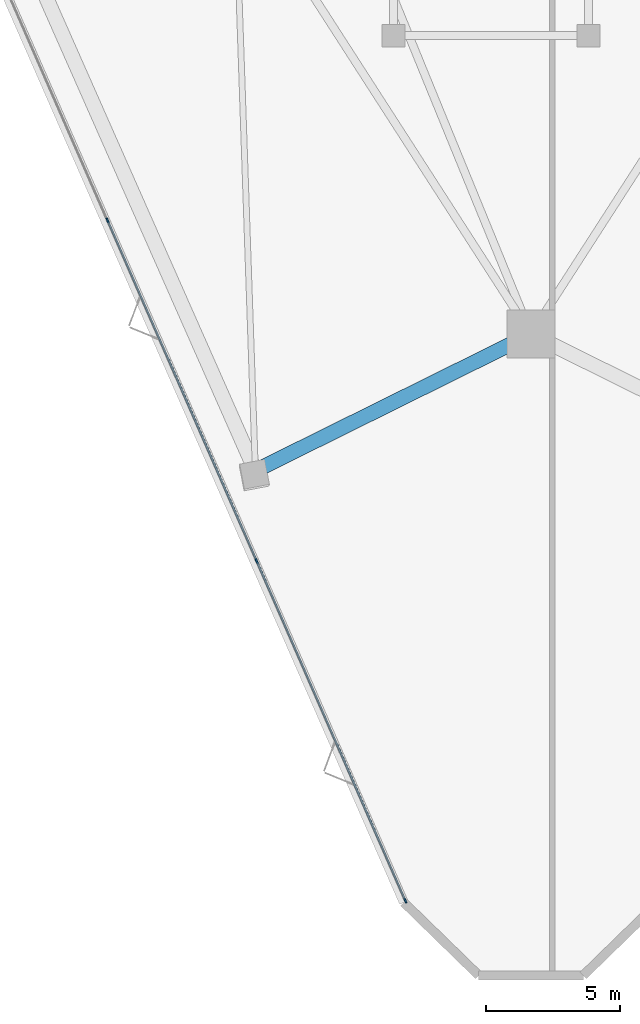
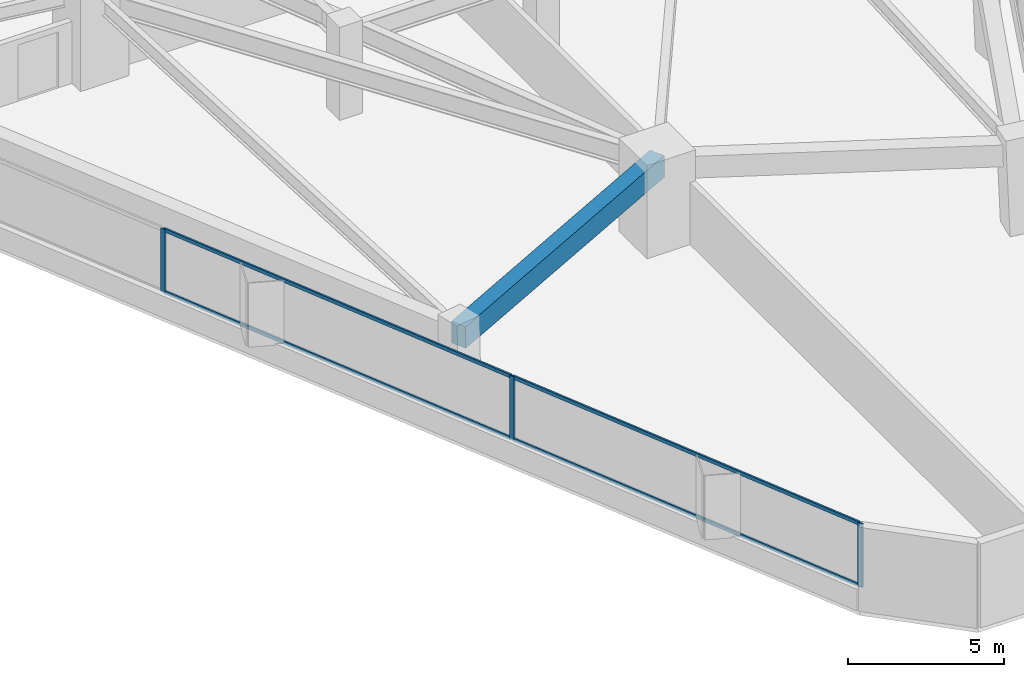
# One storey, part 2 of 20: 7 members, 1 beam, 1 element without a shape of its own.
"""IFC4 building model written with IfcOpenShell, lengths in metres."""

from ifc_helpers import new_model, si_unit, direction, frame, origin, origin_2d, place, context, subcontext, project, spatial, rectangle, extrude, material, layer, layer_set, material_profile, profile_set, type_object, element, aggregate, save


model = new_model("IFC4")

# Units and contexts
model_context = context("Model", 3, precision=1e-05, world=origin(), true_north=direction((0.0, 1.0)))
body_context = subcontext(model_context, "Body", "Model", "MODEL_VIEW")
ifc_project = project(units=[si_unit("LENGTHUNIT", "METRE"), si_unit("AREAUNIT", "SQUARE_METRE"), si_unit("VOLUMEUNIT", "CUBIC_METRE"), si_unit("PLANEANGLEUNIT", "RADIAN"), si_unit("MASSUNIT", "GRAM", prefix="KILO")], contexts=[model_context])

# Site, building, storey
site_placement = place(None, origin())
site = spatial("IfcSite", under=ifc_project, at=site_placement, CompositionType="ELEMENT")
building_placement = place(site_placement, origin())
building = spatial("IfcBuilding", under=site, at=building_placement, Name="Talyreon Biosciences Tower", CompositionType="ELEMENT")
storey_placement = place(building_placement, frame((0.0, 0.0, 62.949951171875)))
storey = spatial("IfcBuildingStorey", under=building, at=storey_placement, Name="L16", CompositionType="ELEMENT", Elevation=62.949951171875)

# Curtain wall, members
ifc_material_1 = material(Name="Thermally broken aluminium and low-E glazing", Category="aluminium")
ifc_layer = layer(ifc_material_1, 0.195068359375)
ifc_layer_set = layer_set([ifc_layer], Name="Thermally broken aluminium and low-E glazing")
curtain_wall_type = type_object("IfcCurtainWallType", Name="CurtainWall_Zone1WetLab", PredefinedType="NOTDEFINED", material=ifc_layer_set)
curtain_wall_placement = place(storey_placement, origin())
curtain_wall = element("IfcCurtainWall", 1, at=curtain_wall_placement, inside=storey, type_object=curtain_wall_type, Name="L16 Unitised Curtain Wall FCW-L16-00", PredefinedType="NOTDEFINED")
ifc_material_2 = material(Name="Anodised thermally broken aluminium", Category="aluminium")
ifc_material_profile_1 = material_profile(ifc_material_2, rectangle(XDim=0.06494140625, YDim=0.179931640625, at=origin_2d()), Name="ALUM MULLION 65x180")
ifc_profile_set_1 = profile_set([ifc_material_profile_1], Name="Anodised thermally broken aluminium")
member_type_1 = type_object("IfcMemberType", Name="CWMullion_65x180", PredefinedType="MULLION", material=ifc_profile_set_1)
member_1_placement = place(storey_placement, frame((61.296630859375, 20.452392578125, 0.81005859375), z_axis=(0.0, 0.0, 1.0), x_axis=(-0.916092182361, -0.400967721165, 0.0)))
member_1 = element("IfcMember", 2, at=member_1_placement, type_object=member_type_1, Name="CW2 mullion 1", PredefinedType="MULLION", context=body_context, shape_type="SweptSolid", body=[
    extrude(rectangle(XDim=0.06494140625, YDim=0.179931640625, at=origin_2d()), origin(), (0.0, 0.0, 1.0), 2.489990234375),
])
member_2_placement = place(storey_placement, frame((55.7265625, 33.17822265625, 0.81005859375), z_axis=(0.0, 0.0, 1.0), x_axis=(-0.916092182361, -0.400967721165, 0.0)))
member_2 = element("IfcMember", 3, at=member_2_placement, type_object=member_type_1, Name="CW2 mullion 2", PredefinedType="MULLION", context=body_context, shape_type="SweptSolid", body=[
    extrude(rectangle(XDim=0.06494140625, YDim=0.179931640625, at=origin_2d()), origin(), (0.0, 0.0, 1.0), 2.489990234375),
])
member_3_placement = place(storey_placement, frame((50.1435546875, 45.933837890625, 0.81005859375), z_axis=(0.0, 0.0, 1.0), x_axis=(-0.916092182361, -0.400967721165, 0.0)))
member_3 = element("IfcMember", 4, at=member_3_placement, type_object=member_type_1, Name="CW2 mullion 3", PredefinedType="MULLION", context=body_context, shape_type="SweptSolid", body=[
    extrude(rectangle(XDim=0.06494140625, YDim=0.179931640625, at=origin_2d()), origin(), (0.0, 0.0, 1.0), 2.489990234375),
])
ifc_material_profile_2 = material_profile(ifc_material_2, rectangle(XDim=0.06494140625, YDim=0.139892578125, at=origin_2d()), Name="ALUM TRANSOM 65x140")
ifc_profile_set_2 = profile_set([ifc_material_profile_2], Name="Anodised thermally broken aluminium")
member_type_2 = type_object("IfcMemberType", Name="CWTransom_65x140", PredefinedType="USERDEFINED", material=ifc_profile_set_2)
member_4_placement = place(storey_placement, frame((61.283447265625, 20.48193359375, 0.842529296875), z_axis=(-0.400961476813, 0.916094915449, 0.0), x_axis=(-0.916094915449, -0.400961476813, 0.0)))
member_4 = element("IfcMember", 5, at=member_4_placement, type_object=member_type_2, Name="CW2 transom 1.1", ObjectType="TRANSOM", PredefinedType="USERDEFINED", context=body_context, shape_type="SweptSolid", body=[
    extrude(rectangle(XDim=0.06494140625, YDim=0.139892578125, at=origin_2d()), origin(), (0.0, 0.0, 1.0), 13.82666015625),
])
member_5_placement = place(storey_placement, frame((61.283447265625, 20.48193359375, 3.267578125), z_axis=(-0.400961476813, 0.916094915449, 0.0), x_axis=(-0.916094915449, -0.400961476813, 0.0)))
member_5 = element("IfcMember", 6, at=member_5_placement, type_object=member_type_2, Name="CW2 transom 1.2", ObjectType="TRANSOM", PredefinedType="USERDEFINED", context=body_context, shape_type="SweptSolid", body=[
    extrude(rectangle(XDim=0.06494140625, YDim=0.139892578125, at=origin_2d()), origin(), (0.0, 0.0, 1.0), 13.82666015625),
])
member_6_placement = place(storey_placement, frame((55.71337890625, 33.2080078125, 0.842529296875), z_axis=(-0.400962068949, 0.916094656279, 0.0), x_axis=(-0.916094656279, -0.400962068949, 0.0)))
member_6 = element("IfcMember", 7, at=member_6_placement, type_object=member_type_2, Name="CW2 transom 2.1", ObjectType="TRANSOM", PredefinedType="USERDEFINED", context=body_context, shape_type="SweptSolid", body=[
    extrude(rectangle(XDim=0.06494140625, YDim=0.139892578125, at=origin_2d()), origin(), (0.0, 0.0, 1.0), 13.85888671875),
])
member_7_placement = place(storey_placement, frame((55.71337890625, 33.2080078125, 3.267578125), z_axis=(-0.400962068949, 0.916094656279, 0.0), x_axis=(-0.916094656279, -0.400962068949, 0.0)))
member_7 = element("IfcMember", 8, at=member_7_placement, type_object=member_type_2, Name="CW2 transom 2.2", ObjectType="TRANSOM", PredefinedType="USERDEFINED", context=body_context, shape_type="SweptSolid", body=[
    extrude(rectangle(XDim=0.06494140625, YDim=0.139892578125, at=origin_2d()), origin(), (0.0, 0.0, 1.0), 13.85888671875),
])
aggregate(curtain_wall, [member_1, member_2, member_3, member_4, member_5, member_6, member_7])

# Beam
ifc_material_3 = material(Name="Precast concrete C45/55", Category="concrete")
ifc_material_profile_3 = material_profile(ifc_material_3, rectangle(XDim=0.550048828125, YDim=0.85009765625, at=origin_2d()), Name="RCB 550x850")
ifc_profile_set_3 = profile_set([ifc_material_profile_3], Name="Precast concrete C45/55")
beam_type = type_object("IfcBeamType", Name="ExpressedSpandrel_550x850", PredefinedType="SPANDREL", material=ifc_profile_set_3)
beam_placement = place(storey_placement, frame((55.680419921875, 36.555908203125, 2.875), z_axis=(0.896112569539, 0.443826838659, 0.0), x_axis=(-0.443826838659, 0.896112569539, 0.0)))
element("IfcBeam", 9, at=beam_placement, inside=storey, type_object=beam_type, Name="L16 Expressed Horizontal Concrete Spandrel 12", PredefinedType="SPANDREL", context=body_context, shape_type="SweptSolid", body=[
    extrude(rectangle(XDim=0.550048828125, YDim=0.85009765625, at=origin_2d()), origin(), (0.0, 0.0, 1.0), 11.515869140625),
])

save(model, "model.ifc")
